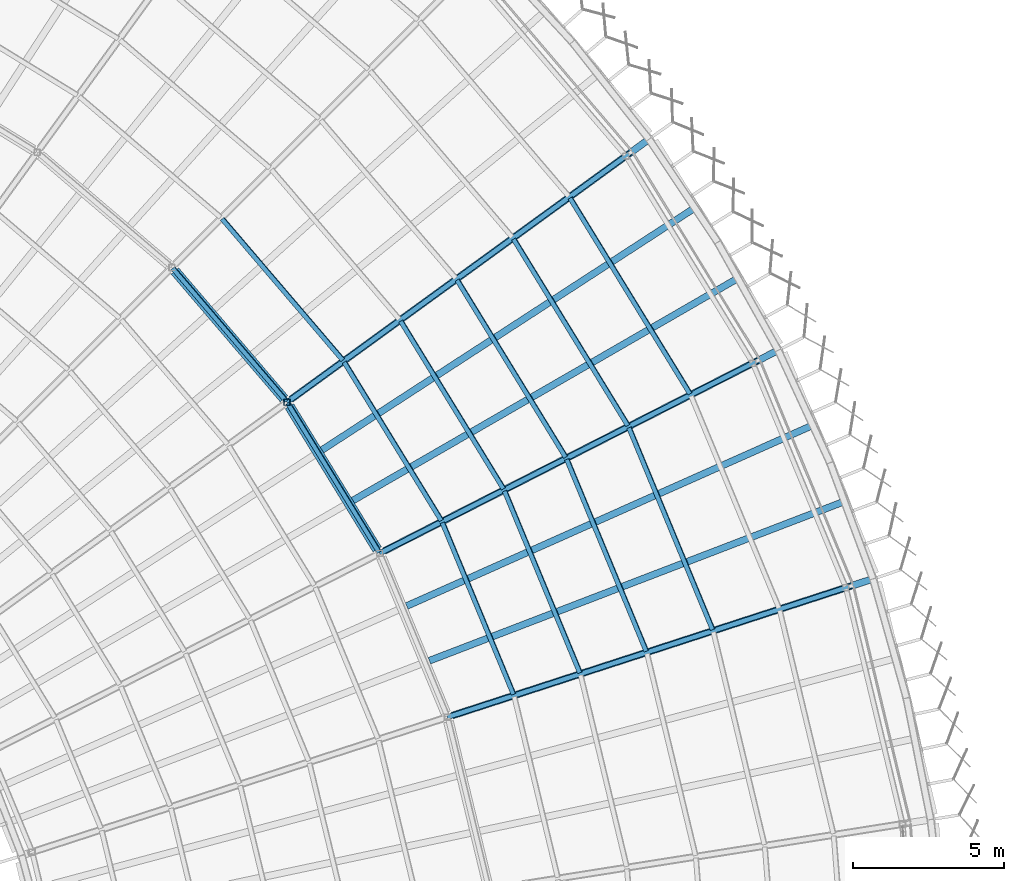
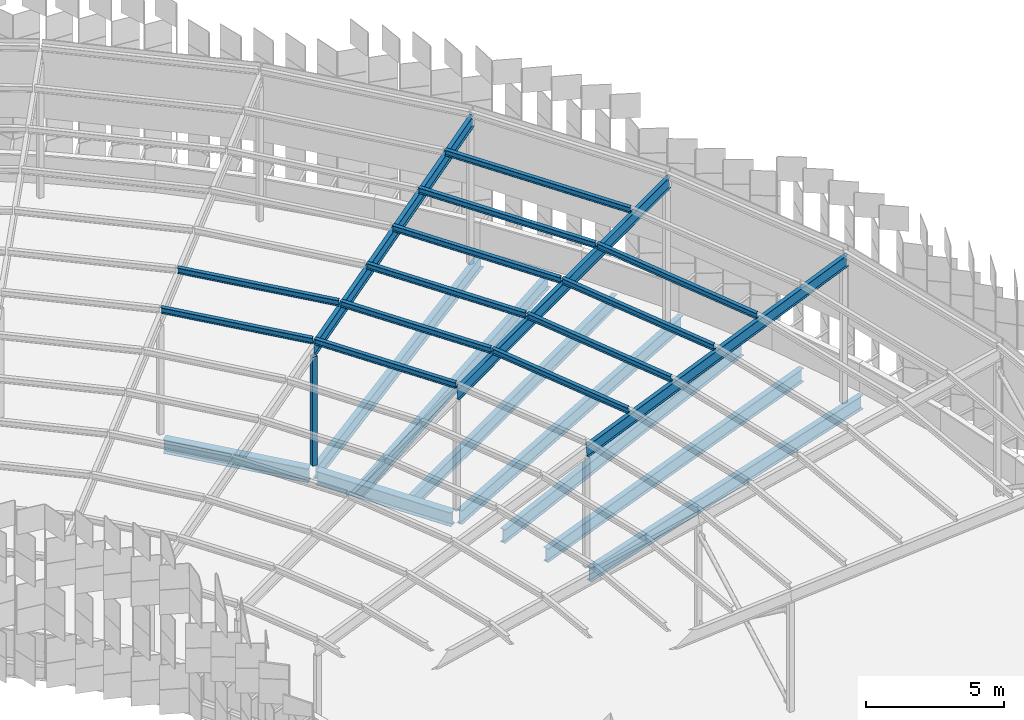
# One storey, part 91 of 483: 16 members, 9 beams.
"""IFC4 building model written with IfcOpenShell, lengths in metres."""

from ifc_helpers import new_model, si_unit, direction, frame, origin, origin_2d, place, context, subcontext, project, spatial, hollow_rectangle, i_section, extrude, material, material_profile, profile_set, type_object, element, save


model = new_model("IFC4")

# Units and contexts
model_context = context("Model", 3, precision=1e-05, world=origin(), true_north=direction((0.0, 1.0)))
body_context = subcontext(model_context, "Body", "Model", "MODEL_VIEW")
ifc_project = project(units=[si_unit("LENGTHUNIT", "METRE"), si_unit("AREAUNIT", "SQUARE_METRE"), si_unit("VOLUMEUNIT", "CUBIC_METRE"), si_unit("PLANEANGLEUNIT", "RADIAN"), si_unit("MASSUNIT", "GRAM", prefix="KILO")], contexts=[model_context])

# Site, building, storey
site_placement = place(None, origin())
site = spatial("IfcSite", under=ifc_project, at=site_placement, CompositionType="ELEMENT")
building_placement = place(site_placement, origin())
building = spatial("IfcBuilding", under=site, at=building_placement, Name="Parallax Yard Mobility Hub", CompositionType="ELEMENT")
storey_placement = place(building_placement, frame((0.0, 0.0, 13.199951171875)))
storey = spatial("IfcBuildingStorey", under=building, at=storey_placement, Name="L04", CompositionType="ELEMENT", Elevation=13.199951171875)

# Members
ifc_material_1 = material(Name="Steel ASTM A500 Gr C", Category="steel")
ifc_material_profile_1 = material_profile(ifc_material_1, hollow_rectangle(XDim=0.203125, YDim=0.203125, WallThickness=0.009521484375, at=origin_2d()), Name="HSS203x203x9.5")
ifc_profile_set_1 = profile_set([ifc_material_profile_1], Name="Steel ASTM A500 Gr C")
member_type_1 = type_object("IfcMemberType", Name="Canopy post HSS203x203x9.5", PredefinedType="POST", material=ifc_profile_set_1)
member_1_placement = place(storey_placement, frame((202.838134765625, 112.0419921875, 0.0), z_axis=(0.0, 0.0, 1.0), x_axis=(1.0, 0.0, 0.0)))
element("IfcMember", 1, at=member_1_placement, inside=storey, type_object=member_type_1, Name="Canopy post RB/R6", PredefinedType="POST", context=body_context, shape_type="SweptSolid", body=[
    extrude(hollow_rectangle(XDim=0.203125, YDim=0.203125, WallThickness=0.009521484375, at=origin_2d()), origin(), (0.0, 0.0, 1.0), 4.81005859375),
])
ifc_material_2 = material(Name="Steel ASTM A992", Category="steel")
ifc_material_profile_2 = material_profile(ifc_material_2, i_section(OverallWidth=0.14794921875, OverallDepth=0.26611328125, WebThickness=0.007568359375, FlangeThickness=0.012939453125, at=origin_2d()), Name="W250x45")
ifc_profile_set_2 = profile_set([ifc_material_profile_2], Name="Steel ASTM A992")
member_type_2 = type_object("IfcMemberType", Name="Canopy purlin W250x45", PredefinedType="PURLIN", material=ifc_profile_set_2)
member_2_placement = place(storey_placement, frame((199.050537109375, 116.492919921875, 5.462158203125), z_axis=(0.649449879311, -0.760404401791, 0.0), x_axis=(0.757967802545, 0.64736881681, 0.079990157691)))
element("IfcMember", 2, at=member_2_placement, inside=storey, type_object=member_type_2, Name="Canopy purlin sector R5-R6 line 7", PredefinedType="PURLIN", context=body_context, shape_type="SweptSolid", body=[
    extrude(i_section(OverallWidth=0.14794921875, OverallDepth=0.26611328125, WebThickness=0.007568359375, FlangeThickness=0.012939453125, at=origin_2d()), origin(), (0.0, 0.0, 1.0), 5.8046875),
])
member_3_placement = place(storey_placement, frame((200.688720703125, 118.131103515625, 5.6474609375), z_axis=(0.649453906205, -0.760400962463, 0.0), x_axis=(0.757964374238, 0.6473728308, 0.079990157691)))
element("IfcMember", 3, at=member_3_placement, inside=storey, type_object=member_type_2, Name="Canopy purlin sector R5-R6 line 8", PredefinedType="PURLIN", context=body_context, shape_type="SweptSolid", body=[
    extrude(i_section(OverallWidth=0.14794921875, OverallDepth=0.26611328125, WebThickness=0.007568359375, FlangeThickness=0.012939453125, at=origin_2d()), origin(), (0.0, 0.0, 1.0), 6.16796875),
])
member_4_placement = place(storey_placement, frame((202.8681640625, 112.013427734375, 5.462158203125), z_axis=(0.522477234119, -0.852653235394, 0.0), x_axis=(0.849921038913, 0.52080303598, 0.079990157691)))
element("IfcMember", 4, at=member_4_placement, inside=storey, type_object=member_type_2, Name="Canopy purlin sector R6-R7 line 7", PredefinedType="PURLIN", context=body_context, shape_type="SweptSolid", body=[
    extrude(i_section(OverallWidth=0.14794921875, OverallDepth=0.26611328125, WebThickness=0.007568359375, FlangeThickness=0.012939453125, at=origin_2d()), origin(), (0.0, 0.0, 1.0), 5.804443359375),
])
member_5_placement = place(storey_placement, frame((204.742431640625, 113.375, 5.6474609375), z_axis=(0.522506364003, -0.852635384896, 0.0), x_axis=(0.849903245614, 0.520832072521, 0.079990157691)))
element("IfcMember", 5, at=member_5_placement, inside=storey, type_object=member_type_2, Name="Canopy purlin sector R6-R7 line 8", PredefinedType="PURLIN", context=body_context, shape_type="SweptSolid", body=[
    extrude(i_section(OverallWidth=0.14794921875, OverallDepth=0.26611328125, WebThickness=0.007568359375, FlangeThickness=0.012939453125, at=origin_2d()), origin(), (0.0, 0.0, 1.0), 6.167724609375),
])
member_6_placement = place(storey_placement, frame((206.61669921875, 114.73681640625, 5.832763671875), z_axis=(0.52248229325, -0.852650135308, 0.0), x_axis=(0.849917948761, 0.5208080789, 0.079990157691)))
element("IfcMember", 6, at=member_6_placement, inside=storey, type_object=member_type_2, Name="Canopy purlin sector R6-R7 line 9", PredefinedType="PURLIN", context=body_context, shape_type="SweptSolid", body=[
    extrude(i_section(OverallWidth=0.14794921875, OverallDepth=0.26611328125, WebThickness=0.007568359375, FlangeThickness=0.012939453125, at=origin_2d()), origin(), (0.0, 0.0, 1.0), 6.531494140625),
])
member_7_placement = place(storey_placement, frame((208.49072265625, 116.0986328125, 6.01806640625), z_axis=(0.522502277067, -0.852637889411, 0.0), x_axis=(0.849905742105, 0.520827998681, 0.079990157691)))
element("IfcMember", 7, at=member_7_placement, inside=storey, type_object=member_type_2, Name="Canopy purlin sector R6-R7 line 10", PredefinedType="PURLIN", context=body_context, shape_type="SweptSolid", body=[
    extrude(i_section(OverallWidth=0.14794921875, OverallDepth=0.26611328125, WebThickness=0.007568359375, FlangeThickness=0.012939453125, at=origin_2d()), origin(), (0.0, 0.0, 1.0), 6.895263671875),
])
member_8_placement = place(storey_placement, frame((210.364990234375, 117.460205078125, 6.203369140625), z_axis=(0.522510791201, -0.852632671834, 0.0), x_axis=(0.849900541246, 0.520836485533, 0.079990157691)))
element("IfcMember", 8, at=member_8_placement, inside=storey, type_object=member_type_2, Name="Canopy purlin sector R6-R7 line 11", PredefinedType="PURLIN", context=body_context, shape_type="SweptSolid", body=[
    extrude(i_section(OverallWidth=0.14794921875, OverallDepth=0.26611328125, WebThickness=0.007568359375, FlangeThickness=0.012939453125, at=origin_2d()), origin(), (0.0, 0.0, 1.0), 7.258544921875),
])
member_9_placement = place(storey_placement, frame((212.2392578125, 118.822021484375, 6.388671875), z_axis=(0.522480937565, -0.852650966036, 0.0), x_axis=(0.849918776827, 0.520806727558, 0.079990157691)))
element("IfcMember", 9, at=member_9_placement, inside=storey, type_object=member_type_2, Name="Canopy purlin sector R6-R7 line 12", PredefinedType="PURLIN", context=body_context, shape_type="SweptSolid", body=[
    extrude(i_section(OverallWidth=0.14794921875, OverallDepth=0.26611328125, WebThickness=0.007568359375, FlangeThickness=0.012939453125, at=origin_2d()), origin(), (0.0, 0.0, 1.0), 7.6220703125),
])
member_10_placement = place(storey_placement, frame((208.001953125, 108.04345703125, 5.6474609375), z_axis=(0.382678068628, -0.923881754226, 0.0), x_axis=(0.920921316884, 0.381451835467, 0.079990157691)))
element("IfcMember", 10, at=member_10_placement, inside=storey, type_object=member_type_2, Name="Canopy purlin sector R7-R8 line 8", PredefinedType="PURLIN", context=body_context, shape_type="SweptSolid", body=[
    extrude(i_section(OverallWidth=0.14794921875, OverallDepth=0.26611328125, WebThickness=0.007568359375, FlangeThickness=0.012939453125, at=origin_2d()), origin(), (0.0, 0.0, 1.0), 6.16796875),
])
member_11_placement = place(storey_placement, frame((210.066162109375, 109.09521484375, 5.832763671875), z_axis=(0.38267971163, -0.923881073682, 0.0), x_axis=(0.920920638521, 0.381453473204, 0.079990157691)))
element("IfcMember", 11, at=member_11_placement, inside=storey, type_object=member_type_2, Name="Canopy purlin sector R7-R8 line 9", PredefinedType="PURLIN", context=body_context, shape_type="SweptSolid", body=[
    extrude(i_section(OverallWidth=0.14794921875, OverallDepth=0.26611328125, WebThickness=0.007568359375, FlangeThickness=0.012939453125, at=origin_2d()), origin(), (0.0, 0.0, 1.0), 6.531494140625),
])
member_12_placement = place(storey_placement, frame((212.13037109375, 110.14697265625, 6.01806640625), z_axis=(0.382693699997, -0.923875279452, 0.0), x_axis=(0.920914862858, 0.381467416747, 0.079990157691)))
element("IfcMember", 12, at=member_12_placement, inside=storey, type_object=member_type_2, Name="Canopy purlin sector R7-R8 line 10", PredefinedType="PURLIN", context=body_context, shape_type="SweptSolid", body=[
    extrude(i_section(OverallWidth=0.14794921875, OverallDepth=0.26611328125, WebThickness=0.007568359375, FlangeThickness=0.012939453125, at=origin_2d()), origin(), (0.0, 0.0, 1.0), 6.89501953125),
])
member_13_placement = place(storey_placement, frame((214.194580078125, 111.19873046875, 6.203369140625), z_axis=(0.382665686185, -0.92388688302, 0.0), x_axis=(0.920926429244, 0.381439492701, 0.079990157691)))
element("IfcMember", 13, at=member_13_placement, inside=storey, type_object=member_type_2, Name="Canopy purlin sector R7-R8 line 11", PredefinedType="PURLIN", context=body_context, shape_type="SweptSolid", body=[
    extrude(i_section(OverallWidth=0.14794921875, OverallDepth=0.26611328125, WebThickness=0.007568359375, FlangeThickness=0.012939453125, at=origin_2d()), origin(), (0.0, 0.0, 1.0), 7.258544921875),
])
ifc_material_profile_3 = material_profile(ifc_material_2, i_section(OverallWidth=0.166015625, OverallDepth=0.529052734375, WebThickness=0.009765625, FlangeThickness=0.013671875, at=origin_2d()), Name="W530x74")
ifc_profile_set_3 = profile_set([ifc_material_profile_3], Name="Steel ASTM A992")
member_type_3 = type_object("IfcMemberType", Name="Canopy rafter W530x74", PredefinedType="RAFTER", material=ifc_profile_set_3)
for number, where, z_axis, x_axis, name in (
    (14, (202.855224609375, 112.05419921875, 5.067138671875), (0.806435217835, 0.58592044576, 0.079746289422), (-0.587792451176, 0.809011764031, 0.0), "Canopy rafter R6 outer span"),
    (15, (205.931396484375, 107.0341796875, 5.067138671875), (0.888168427455, 0.452545517564, 0.079745840045), (-0.45399137608, 0.89100607767, 0.0), "Canopy rafter R7 outer span"),
    (16, (208.184814453125, 101.594482421875, 5.067138671875), (0.948025017937, 0.308040578071, 0.079746897292), (-0.309024777322, 0.951053987427, 0.0), "Canopy rafter R8 outer span"),
):
    element("IfcMember", number, at=place(storey_placement, frame(where, z_axis=z_axis, x_axis=x_axis)), inside=storey, type_object=member_type_3, Name=name, PredefinedType="RAFTER", context=body_context, shape_type="SweptSolid", body=[
        extrude(i_section(OverallWidth=0.166015625, OverallDepth=0.529052734375, WebThickness=0.009765625, FlangeThickness=0.013671875, at=origin_2d()), origin(), (0.0, 0.0, 1.0), 14.094970703125),
    ])

# Beams
ifc_material_profile_4 = material_profile(ifc_material_2, i_section(OverallWidth=0.22802734375, OverallDepth=0.60205078125, WebThickness=0.010498046875, FlangeThickness=0.014892578125, FilletRadius=0.0126953125, at=origin_2d()), Name="W610x101")
ifc_profile_set_4 = profile_set([ifc_material_profile_4], Name="Steel ASTM A992")
beam_type_1 = type_object("IfcBeamType", Name="W610x101 secondary beam", PredefinedType="JOIST", material=ifc_profile_set_4)
for number, where, z_axis, x_axis, name in (
    (17, (204.000244140625, 110.45654296875, -0.44091796875), (0.838669595432, 0.544640532551, 0.0), (-0.544640532551, 0.838669595432, 0.0), "Secondary beam B3 level L04, radial at 57 degrees of ramped parking decks, span 2"),
    (18, (205.027587890625, 108.77978515625, -0.44091796875), (0.866028298505, 0.499994986164, 0.0), (-0.499994986164, 0.866028298505, 0.0), "Secondary beam B3 level L04, radial at 60 degrees of ramped parking decks, span 2"),
    (19, (206.8125, 105.27685546875, -0.44091796875), (0.913545293989, 0.406737010648, 0.0), (-0.406737010648, 0.913545293989, 0.0), "Secondary beam B3 level L04, radial at 66 degrees of ramped parking decks, span 2"),
):
    element("IfcBeam", number, at=place(storey_placement, frame(where, z_axis=z_axis, x_axis=x_axis)), inside=storey, type_object=beam_type_1, Name=name, PredefinedType="JOIST", context=body_context, shape_type="SweptSolid", body=[
        extrude(i_section(OverallWidth=0.22802734375, OverallDepth=0.60205078125, WebThickness=0.010498046875, FlangeThickness=0.014892578125, FilletRadius=0.0126953125, at=origin_2d()), origin(), (0.0, 0.0, 1.0), 14.681884765625),
    ])
beam_1_placement = place(storey_placement, frame((207.565185546875, 103.460205078125, -0.44091796875), z_axis=(0.933579840414, 0.358369476341, 0.0), x_axis=(-0.358369476341, 0.933579840414, 0.0)))
element("IfcBeam", 20, at=beam_1_placement, inside=storey, type_object=beam_type_1, Name="Secondary beam B3 level L04, radial at 69 degrees of ramped parking decks, span 2", PredefinedType="JOIST", context=body_context, shape_type="SweptSolid", body=[
    extrude(i_section(OverallWidth=0.22802734375, OverallDepth=0.60205078125, WebThickness=0.010498046875, FlangeThickness=0.014892578125, FilletRadius=0.0126953125, at=origin_2d()), origin(), (0.0, 0.0, 1.0), 14.681640625),
])
ifc_material_profile_5 = material_profile(ifc_material_2, i_section(OverallWidth=0.22900390625, OverallDepth=0.612060546875, WebThickness=0.011962890625, FlangeThickness=0.01953125, FilletRadius=0.0126953125, at=origin_2d()), Name="W610x125")
ifc_profile_set_5 = profile_set([ifc_material_profile_5], Name="Steel ASTM A992")
beam_type_2 = type_object("IfcBeamType", Name="W610x125 girder", PredefinedType="BEAM", material=ifc_profile_set_5)
for number, where, z_axis, x_axis, name in (
    (21, (202.970703125, 112.13818359375, -0.446044921875), (0.80901066997, 0.587793956991, 0.0), (-0.587793956991, 0.80901066997, 0.0), "Girder G3 level L04, radial R6 of ramped parking decks, span 2"),
    (22, (206.058837890625, 107.09912109375, -0.446044921875), (0.891005994244, 0.453991539812, 0.0), (-0.453991539812, 0.891005994244, 0.0), "Girder G3 level L04, radial R7 of ramped parking decks, span 1"),
):
    element("IfcBeam", number, at=place(storey_placement, frame(where, z_axis=z_axis, x_axis=x_axis)), inside=storey, type_object=beam_type_2, Name=name, PredefinedType="BEAM", context=body_context, shape_type="SweptSolid", body=[
        extrude(i_section(OverallWidth=0.22900390625, OverallDepth=0.612060546875, WebThickness=0.011962890625, FlangeThickness=0.01953125, FilletRadius=0.0126953125, at=origin_2d()), origin(), (0.0, 0.0, 1.0), 14.6826171875),
    ])
beam_2_placement = place(storey_placement, frame((208.320556640625, 101.638916015625, -0.446044921875), z_axis=(0.951057038922, 0.309015385889, 0.0), x_axis=(-0.309015385889, 0.951057038922, 0.0)))
element("IfcBeam", 23, at=beam_2_placement, inside=storey, type_object=beam_type_2, Name="Girder G3 level L04, radial R8 of ramped parking decks, span 2", PredefinedType="BEAM", context=body_context, shape_type="SweptSolid", body=[
    extrude(i_section(OverallWidth=0.22900390625, OverallDepth=0.612060546875, WebThickness=0.011962890625, FlangeThickness=0.01953125, FilletRadius=0.0126953125, at=origin_2d()), origin(), (0.0, 0.0, 1.0), 14.682373046875),
])
ifc_material_profile_6 = material_profile(ifc_material_2, i_section(OverallWidth=0.324951171875, OverallDepth=0.612060546875, WebThickness=0.0126953125, FlangeThickness=0.01904296875, FilletRadius=0.0126953125, at=origin_2d()), Name="W610x155")
ifc_profile_set_6 = profile_set([ifc_material_profile_6], Name="Steel ASTM A992")
beam_type_3 = type_object("IfcBeamType", Name="W610x155 longitudinal beam", PredefinedType="BEAM", material=ifc_profile_set_6)
for number, where, z_axis, x_axis, name in (
    (24, (199.117431640625, 116.398193359375, -0.446044921875), (0.649448387254, -0.760405676132, 0.0), (0.760405676132, 0.649448387254, 0.0), "Longitudinal beam SB8 level L04, ring RB of ramped parking decks, span 6"),
    (25, (202.919189453125, 111.9091796875, -0.446044921875), (0.522544595639, -0.852611954859, 0.0), (0.852611954859, 0.522544595639, 0.0), "Longitudinal beam SB8 level L04, ring RB of ramped parking decks, span 7"),
):
    element("IfcBeam", number, at=place(storey_placement, frame(where, z_axis=z_axis, x_axis=x_axis)), inside=storey, type_object=beam_type_3, Name=name, PredefinedType="BEAM", context=body_context, shape_type="SweptSolid", body=[
        extrude(i_section(OverallWidth=0.324951171875, OverallDepth=0.612060546875, WebThickness=0.0126953125, FlangeThickness=0.01904296875, FilletRadius=0.0126953125, at=origin_2d()), origin(), (0.0, 0.0, 1.0), 5.573486328125),
    ])

save(model, "model.ifc")
